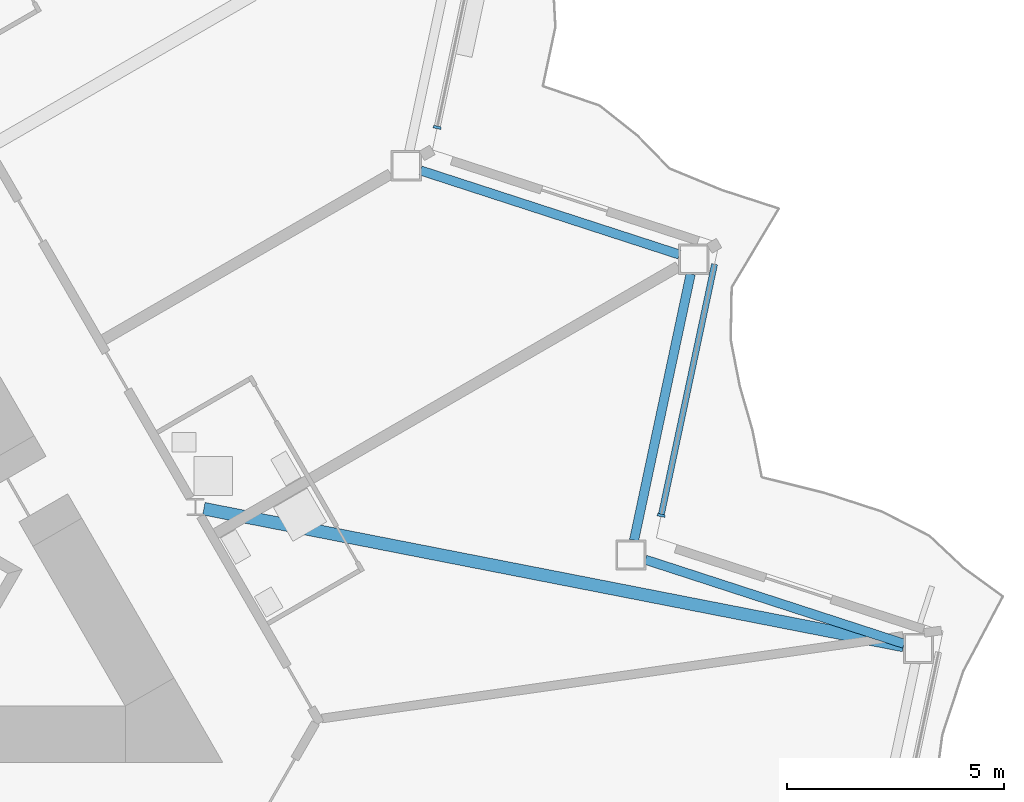
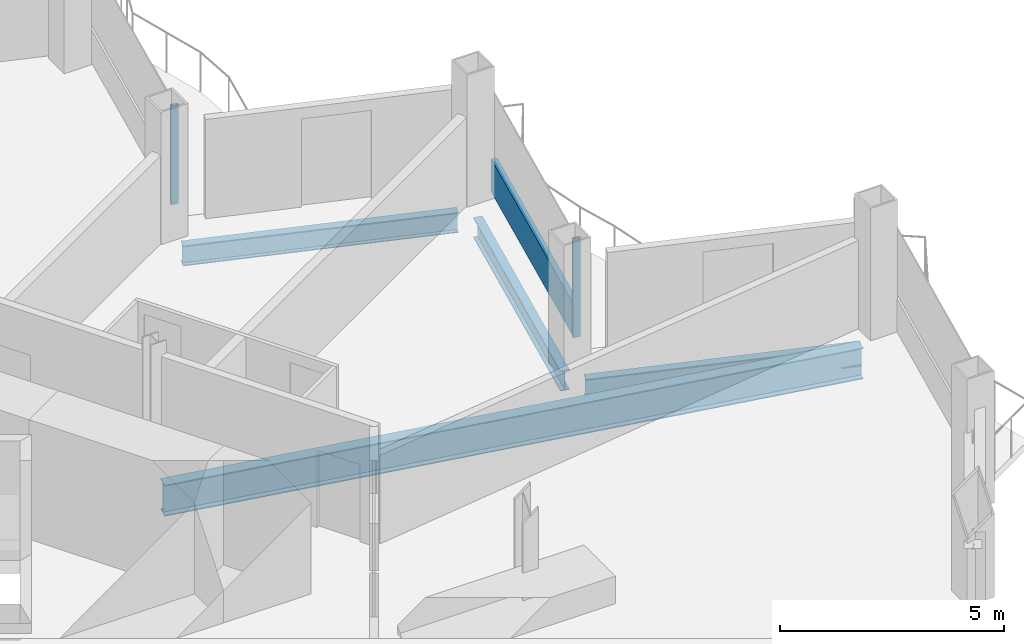
# One storey, part 7 of 24: 4 beams, 3 members, 2 elements without a shape of their own.
"""IFC4 building model written with IfcOpenShell, lengths in metres."""

from ifc_helpers import new_model, si_unit, direction, frame, origin, origin_2d, place, context, subcontext, project, spatial, rectangle, i_section, extrude, material, layer, layer_set, material_profile, profile_set, type_object, element, aggregate, save


model = new_model("IFC4")

# Units and contexts
model_context = context("Model", 3, precision=1e-05, world=origin(), true_north=direction((0.0, 1.0)))
body_context = subcontext(model_context, "Body", "Model", "MODEL_VIEW")
ifc_project = project(units=[si_unit("LENGTHUNIT", "METRE"), si_unit("AREAUNIT", "SQUARE_METRE"), si_unit("VOLUMEUNIT", "CUBIC_METRE"), si_unit("PLANEANGLEUNIT", "RADIAN"), si_unit("MASSUNIT", "GRAM", prefix="KILO")], contexts=[model_context])

# Site, building, storey
site_placement = place(None, origin())
site = spatial("IfcSite", under=ifc_project, at=site_placement, CompositionType="ELEMENT")
building_placement = place(site_placement, origin())
building = spatial("IfcBuilding", under=site, at=building_placement, Name="Cormorant Prow Tower", CompositionType="ELEMENT")
storey_placement = place(building_placement, frame((0.0, 0.0, 234.60009765625)))
storey = spatial("IfcBuildingStorey", under=building, at=storey_placement, Name="L51", CompositionType="ELEMENT", Elevation=234.60009765625)

# Curtain wall, member
ifc_material_1 = material(Name="Aluminium 6063-T6", Category="aluminium")
ifc_layer = layer(ifc_material_1, 0.179931640625)
ifc_layer_set = layer_set([ifc_layer], Name="Aluminium 6063-T6")
curtain_wall_type = type_object("IfcCurtainWallType", Name="Hotel unitised curtain wall 180", PredefinedType="NOTDEFINED", material=ifc_layer_set)
curtain_wall_1_placement = place(storey_placement, origin())
curtain_wall_1 = element("IfcCurtainWall", 1, at=curtain_wall_1_placement, inside=storey, type_object=curtain_wall_type, Name="Hotel curtain wall ENE02", PredefinedType="NOTDEFINED")
ifc_material_2 = material(Name="Aluminium 6063-T6", Category="aluminium")
ifc_material_profile_1 = material_profile(ifc_material_2, rectangle(XDim=0.179931640625, YDim=0.06005859375, at=origin_2d()), Name="Hotel mullion 60x180")
ifc_profile_set_1 = profile_set([ifc_material_profile_1], Name="Aluminium 6063-T6")
member_type_1 = type_object("IfcMemberType", Name="Hotel mullion 60x180", PredefinedType="MULLION", material=ifc_profile_set_1)
member_1_placement = place(storey_placement, frame((25.1220703125, -2.9560546875, 0.0), z_axis=(0.0, 0.0, 1.0), x_axis=(-0.978147581019, 0.207911783569, 0.0)))
member_1 = element("IfcMember", 2, at=member_1_placement, type_object=member_type_1, Name="Hotel mullion ENE02", PredefinedType="MULLION", context=body_context, shape_type="SweptSolid", body=[
    extrude(rectangle(XDim=0.179931640625, YDim=0.06005859375, at=origin_2d()), origin(), (0.0, 0.0, 1.0), 2.70068359375),
])

curtain_wall_2_placement = place(storey_placement, origin())
curtain_wall_2 = element("IfcCurtainWall", 3, at=curtain_wall_2_placement, inside=storey, type_object=curtain_wall_type, Name="Hotel curtain wall ENE04", PredefinedType="NOTDEFINED")
member_2_placement = place(storey_placement, frame((19.949951171875, 6.001708984375, 0.0), z_axis=(0.0, 0.0, 1.0), x_axis=(-0.978147604029, 0.207911675316, 0.0)))
member_2 = element("IfcMember", 4, at=member_2_placement, type_object=member_type_1, Name="Hotel mullion ENE04", PredefinedType="MULLION", context=body_context, shape_type="SweptSolid", body=[
    extrude(rectangle(XDim=0.179931640625, YDim=0.06005859375, at=origin_2d()), origin(), (0.0, 0.0, 1.0), 2.70068359375),
])
aggregate(curtain_wall_2, [member_2])

# Member
ifc_material_3 = material(Name="Terracotta", Category="masonry")
ifc_material_profile_2 = material_profile(ifc_material_3, rectangle(XDim=0.139892578125, YDim=0.89990234375, at=origin_2d()), Name="Hotel terracotta spandrel rail 140x900")
ifc_profile_set_2 = profile_set([ifc_material_profile_2], Name="Terracotta")
member_type_2 = type_object("IfcMemberType", Name="Hotel terracotta spandrel rail 140x900", PredefinedType="USERDEFINED", material=ifc_profile_set_2)
member_3_placement = place(storey_placement, frame((25.128173828125, -2.9267578125, 0.449951171875), z_axis=(0.207900345408, 0.978150012206, 0.0), x_axis=(-0.978150012206, 0.207900345408, 0.0)))
member_3 = element("IfcMember", 5, at=member_3_placement, type_object=member_type_2, Name="Hotel spandrel rail ENE02", ObjectType="TRANSOM", PredefinedType="USERDEFINED", context=body_context, shape_type="SweptSolid", body=[
    extrude(rectangle(XDim=0.139892578125, YDim=0.89990234375, at=origin_2d()), origin(), (0.0, 0.0, 1.0), 5.8974609375),
])

aggregate(curtain_wall_1, [member_1, member_3])

# Beams
ifc_material_4 = material(Name="Structural steel ASTM A992 Gr 50", Category="steel")
ifc_material_profile_3 = material_profile(ifc_material_4, i_section(OverallWidth=0.29296875, OverallDepth=0.845703125, WebThickness=0.015380859375, FlangeThickness=0.0244140625, at=origin_2d()), Name="W33x141")
ifc_profile_set_3 = profile_set([ifc_material_profile_3], Name="Structural steel ASTM A992 Gr 50")
beam_type_1 = type_object("IfcBeamType", Name="Radial floor beam W33x141", PredefinedType="BEAM", material=ifc_profile_set_3)
beam_placement = place(storey_placement, frame((14.5634765625, -2.80322265625, -0.77294921875), z_axis=(0.981419133752, -0.191876220269, 0.0), x_axis=(0.191876220269, 0.981419133752, 0.0)))
element("IfcBeam", 6, at=beam_placement, inside=storey, type_object=beam_type_1, Name="Radial floor beam FB2 10 L51", PredefinedType="BEAM", context=body_context, shape_type="SweptSolid", body=[
    extrude(i_section(OverallWidth=0.29296875, OverallDepth=0.845703125, WebThickness=0.015380859375, FlangeThickness=0.0244140625, at=origin_2d()), origin(), (0.0, 0.0, 1.0), 16.462158203125),
])
ifc_material_5 = material(Name="Structural steel ASTM A992 Gr 50", Category="steel")
ifc_material_profile_4 = material_profile(ifc_material_5, i_section(OverallWidth=0.2138671875, OverallDepth=0.549072265625, WebThickness=0.0146484375, FlangeThickness=0.023681640625, at=origin_2d()), Name="W21x93")
ifc_profile_set_4 = profile_set([ifc_material_profile_4], Name="Structural steel ASTM A992 Gr 50")
beam_type_2 = type_object("IfcBeamType", Name="Spandrel beam W21x93", PredefinedType="SPANDREL", material=ifc_profile_set_4)
for number, where, z_axis, x_axis, name in (
    (7, (30.730224609375, -5.9208984375, -0.624755859375), (-0.951061771288, 0.309000820701, 0.0), (-0.309000820701, -0.951061771288, 0.0), "Spandrel beam SB2 ENE01-ENE02 L51"),
    (8, (24.49609375, -3.529296875, -0.624755859375), (0.207941499013, 0.978141264331, 0.0), (-0.978141264331, 0.207941499013, 0.0), "Spandrel beam SB2 ENE02-ENE03 L51"),
    (9, (25.5419921875, 3.0654296875, -0.624755859375), (-0.951061771288, 0.309000820701, 0.0), (-0.309000820701, -0.951061771288, 0.0), "Spandrel beam SB2 ENE03-ENE04 L51"),
):
    element("IfcBeam", number, at=place(storey_placement, frame(where, z_axis=z_axis, x_axis=x_axis)), inside=storey, type_object=beam_type_2, Name=name, PredefinedType="SPANDREL", context=body_context, shape_type="SweptSolid", body=[
        extrude(i_section(OverallWidth=0.2138671875, OverallDepth=0.549072265625, WebThickness=0.0146484375, FlangeThickness=0.023681640625, at=origin_2d()), origin(), (0.0, 0.0, 1.0), 6.28125),
    ])

save(model, "model.ifc")
